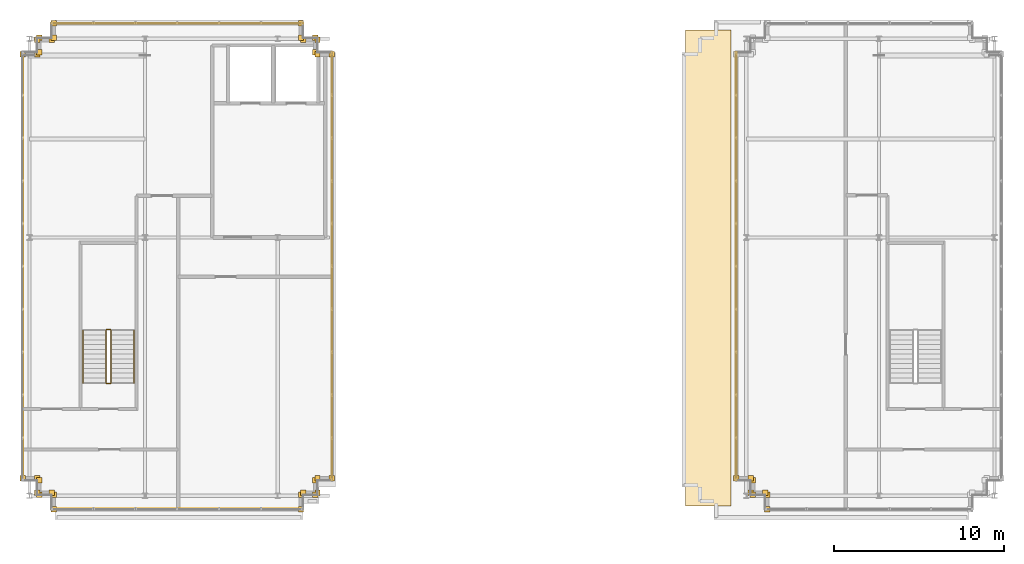
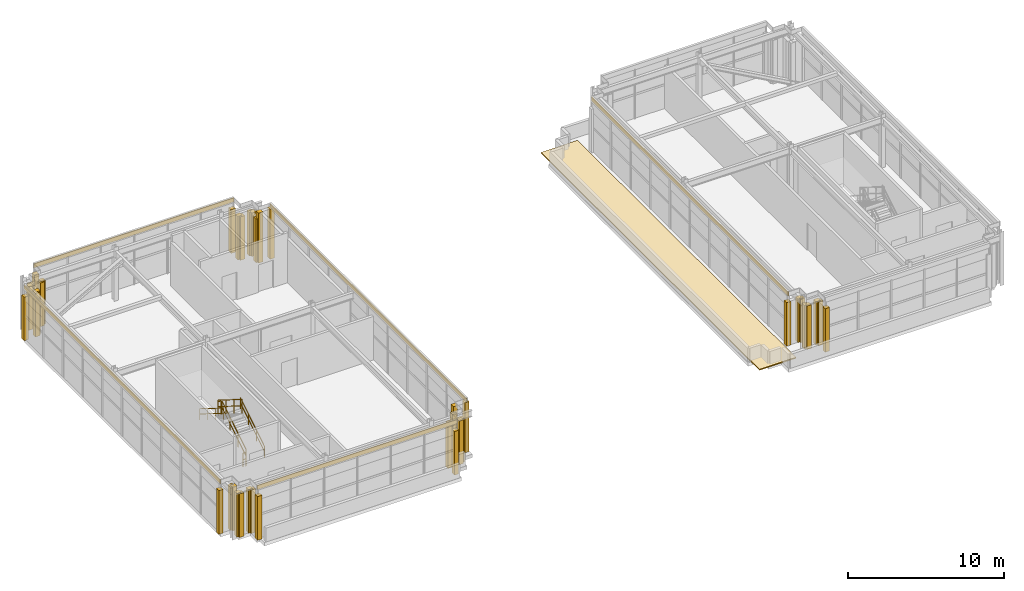
# One storey, part 23 of 25: 46 coverings, 6 railings.
"""IFC4 building model written with IfcOpenShell, lengths in metres."""

from ifc_helpers import new_model, si_unit, direction, frame, origin, origin_2d, place, context, subcontext, project, spatial, polyline, rectangle, outline, extrude, source, transform, mapped, material, layer, layer_set, type_object, element, save


model = new_model("IFC4")

# Units and contexts
model_context = context("Model", 3, precision=1e-05, world=origin(), true_north=direction((0.0, 1.0)))
body_context = subcontext(model_context, "Body", "Model", "MODEL_VIEW")
ifc_project = project(units=[si_unit("LENGTHUNIT", "METRE"), si_unit("AREAUNIT", "SQUARE_METRE"), si_unit("VOLUMEUNIT", "CUBIC_METRE"), si_unit("PLANEANGLEUNIT", "RADIAN"), si_unit("MASSUNIT", "GRAM", prefix="KILO")], contexts=[model_context])

# Site, building, storey
site_placement = place(None, origin())
site = spatial("IfcSite", under=ifc_project, at=site_placement, CompositionType="ELEMENT")
building_placement = place(site_placement, origin())
building = spatial("IfcBuilding", under=site, at=building_placement, Name="Trelvane Seafront Commons", CompositionType="ELEMENT")
storey_placement = place(building_placement, frame((0.0, 0.0, 316.699951171875)))
storey = spatial("IfcBuildingStorey", under=building, at=storey_placement, Name="L82", CompositionType="ELEMENT", Elevation=316.699951171875)

# Covering
ifc_material_1 = material(Name="Polymer-Modified Bitumen Membrane")
ifc_layer_1 = layer(ifc_material_1, 0.080078125, Name="ARCH-COV-ROOF80")
ifc_layer_set_1 = layer_set([ifc_layer_1], Name="Polymer-Modified Bitumen Membrane")
covering_type_1 = type_object("IfcCoveringType", Name="ARCH-COV-ROOF80", PredefinedType="ROOFING", material=ifc_layer_set_1)
covering_placement = place(storey_placement, origin())
element("IfcCovering", 1, at=covering_placement, inside=storey, type_object=covering_type_1, Name="COV-ROOF-L82-11", PredefinedType="ROOFING", context=body_context, shape_type="SweptSolid", body=[
    extrude(outline(polyline([(47.39990234375, 17.60009765625), (50.10009765625, 17.60009765625), (50.10009765625, 45.60009765625), (47.39990234375, 45.60009765625), (47.39990234375, 17.60009765625)])), origin(), (0.0, 0.0, 1.0), 0.080078125),
])

# Railings
ifc_material_2 = material(Name="Stainless steel balustrade", Category="steel")
railing_type_1 = type_object("IfcRailingType", Name="ARCH-SRL-GUARD", PredefinedType="GUARDRAIL", material=ifc_material_2)
railing_1_placement = place(storey_placement, frame((13.60009765625, 24.85009765625, 0.175048828125)))
element("IfcRailing", 2, at=railing_1_placement, inside=storey, type_object=railing_type_1, Name="L82 ST-5 stair guard 1", PredefinedType="GUARDRAIL", context=body_context, shape_type="SweptSolid", body=[
    extrude(rectangle(XDim=0.048095703125, YDim=0.048095703125, at=origin_2d()), frame((0.0, 0.0, 1.076171875), z_axis=(0.0, 0.847979421464, 0.530029150871), x_axis=(-1.0, 0.0, 0.0)), (0.0, 0.0, 1.0), 3.632080078125),
    extrude(rectangle(XDim=0.048095703125, YDim=0.048095703125, at=origin_2d()), frame((0.0, 0.0, 0.572021484375), z_axis=(0.0, 0.847979421464, 0.530029150871), x_axis=(-1.0, 0.0, 0.0)), (0.0, 0.0, 1.0), 3.632080078125),
    extrude(rectangle(XDim=0.0419921875, YDim=0.0419921875, at=origin_2d()), origin(), (0.0, 0.0, 1.0), 1.076171875),
    extrude(rectangle(XDim=0.0419921875, YDim=0.0419921875, at=origin_2d()), frame((0.0, 1.026611328125, 0.6416015625)), (0.0, 0.0, 1.0), 1.076171875),
    extrude(rectangle(XDim=0.0419921875, YDim=0.0419921875, at=origin_2d()), frame((0.0, 2.05322265625, 1.283447265625)), (0.0, 0.0, 1.0), 1.076171875),
    extrude(rectangle(XDim=0.0419921875, YDim=0.0419921875, at=origin_2d()), frame((0.0, 3.079833984375, 1.925048828125)), (0.0, 0.0, 1.0), 1.076171875),
])
railing_2_placement = place(storey_placement, frame((13.550048828125, 27.97998046875, 2.10009765625)))
element("IfcRailing", 3, at=railing_2_placement, inside=storey, type_object=railing_type_1, Name="L82 ST-5 stair guard 2", PredefinedType="GUARDRAIL", context=body_context, shape_type="SweptSolid", body=[
    extrude(rectangle(XDim=0.048095703125, YDim=0.048095703125, at=origin_2d()), frame((0.0, 0.0, 1.076171875), z_axis=(-1.0, 0.0, 0.0), x_axis=(0.0, -1.0, 0.0)), (0.0, 0.0, 1.0), 0.199951171875),
    extrude(rectangle(XDim=0.048095703125, YDim=0.048095703125, at=origin_2d()), frame((0.0, 0.0, 0.572021484375), z_axis=(-1.0, 0.0, 0.0), x_axis=(0.0, -1.0, 0.0)), (0.0, 0.0, 1.0), 0.199951171875),
    extrude(rectangle(XDim=0.0419921875, YDim=0.0419921875, at=origin_2d()), origin(), (0.0, 0.0, 1.0), 1.076171875),
    extrude(rectangle(XDim=0.0419921875, YDim=0.0419921875, at=origin_2d()), frame((-0.199951171875, 0.0, 0.0)), (0.0, 0.0, 1.0), 1.076171875),
])
railing_3_placement = place(storey_placement, frame((13.300048828125, 27.929931640625, 2.275146484375)))
element("IfcRailing", 4, at=railing_3_placement, inside=storey, type_object=railing_type_1, Name="L82 ST-5 stair guard 3", PredefinedType="GUARDRAIL", context=body_context, shape_type="SweptSolid", body=[
    extrude(rectangle(XDim=0.048095703125, YDim=0.048095703125, at=origin_2d()), frame((0.0, 0.0, 1.076171875), z_axis=(0.0, -0.848009633417, 0.529980812513), x_axis=(1.0, 0.0, 0.0)), (0.0, 0.0, 1.0), 3.6318359375),
    extrude(rectangle(XDim=0.048095703125, YDim=0.048095703125, at=origin_2d()), frame((0.0, 0.0, 0.572021484375), z_axis=(0.0, -0.848009633417, 0.529980812513), x_axis=(1.0, 0.0, 0.0)), (0.0, 0.0, 1.0), 3.6318359375),
    extrude(rectangle(XDim=0.0419921875, YDim=0.0419921875, at=origin_2d()), origin(), (0.0, 0.0, 1.0), 1.076171875),
    extrude(rectangle(XDim=0.0419921875, YDim=0.0419921875, at=origin_2d()), frame((0.0, -1.026611328125, 0.6416015625)), (0.0, 0.0, 1.0), 1.076171875),
    extrude(rectangle(XDim=0.0419921875, YDim=0.0419921875, at=origin_2d()), frame((0.0, -2.05322265625, 1.283203125)), (0.0, 0.0, 1.0), 1.076171875),
    extrude(rectangle(XDim=0.0419921875, YDim=0.0419921875, at=origin_2d()), frame((0.0, -3.079833984375, 1.9248046875)), (0.0, 0.0, 1.0), 1.076171875),
])
railing_4_placement = place(storey_placement, frame((13.550048828125, 24.800048828125, 0.0)))
element("IfcRailing", 5, at=railing_4_placement, inside=storey, type_object=railing_type_1, Name="L82 ST-5 stair guard 4", PredefinedType="GUARDRAIL", context=body_context, shape_type="SweptSolid", body=[
    extrude(rectangle(XDim=0.048095703125, YDim=0.048095703125, at=origin_2d()), frame((0.0, 0.0, 1.076171875), z_axis=(-1.0, 0.0, 0.0), x_axis=(0.0, -1.0, 0.0)), (0.0, 0.0, 1.0), 0.199951171875),
    extrude(rectangle(XDim=0.048095703125, YDim=0.048095703125, at=origin_2d()), frame((0.0, 0.0, 0.572021484375), z_axis=(-1.0, 0.0, 0.0), x_axis=(0.0, -1.0, 0.0)), (0.0, 0.0, 1.0), 0.199951171875),
    extrude(rectangle(XDim=0.0419921875, YDim=0.0419921875, at=origin_2d()), origin(), (0.0, 0.0, 1.0), 1.076171875),
    extrude(rectangle(XDim=0.0419921875, YDim=0.0419921875, at=origin_2d()), frame((-0.199951171875, 0.0, 0.0)), (0.0, 0.0, 1.0), 1.076171875),
])
railing_type_2 = type_object("IfcRailingType", Name="ARCH-SRL-HAND", PredefinedType="HANDRAIL", material=ifc_material_2)
railing_5_placement = place(storey_placement, frame((14.949951171875, 24.85009765625, 0.175048828125)))
element("IfcRailing", 6, at=railing_5_placement, inside=storey, type_object=railing_type_2, Name="L82 ST-5 stair handrail 1", PredefinedType="HANDRAIL", context=body_context, shape_type="SweptSolid", body=[
    extrude(rectangle(XDim=0.048095703125, YDim=0.048095703125, at=origin_2d()), frame((0.0, 0.0, 0.8759765625), z_axis=(0.0, 0.847979421464, 0.530029150871), x_axis=(-1.0, 0.0, 0.0)), (0.0, 0.0, 1.0), 3.632080078125),
    extrude(rectangle(XDim=0.048095703125, YDim=0.048095703125, at=origin_2d()), frame((0.0, 0.0, 0.468017578125), z_axis=(0.0, 0.847979421464, 0.530029150871), x_axis=(-1.0, 0.0, 0.0)), (0.0, 0.0, 1.0), 3.632080078125),
    extrude(rectangle(XDim=0.0419921875, YDim=0.0419921875, at=origin_2d()), origin(), (0.0, 0.0, 1.0), 0.8759765625),
    extrude(rectangle(XDim=0.0419921875, YDim=0.0419921875, at=origin_2d()), frame((0.0, 1.026611328125, 0.6416015625)), (0.0, 0.0, 1.0), 0.8759765625),
    extrude(rectangle(XDim=0.0419921875, YDim=0.0419921875, at=origin_2d()), frame((0.0, 2.05322265625, 1.283447265625)), (0.0, 0.0, 1.0), 0.8759765625),
    extrude(rectangle(XDim=0.0419921875, YDim=0.0419921875, at=origin_2d()), frame((0.0, 3.079833984375, 1.925048828125)), (0.0, 0.0, 1.0), 0.8759765625),
])
railing_6_placement = place(storey_placement, frame((11.949951171875, 27.929931640625, 2.275146484375)))
element("IfcRailing", 7, at=railing_6_placement, inside=storey, type_object=railing_type_2, Name="L82 ST-5 stair handrail 2", PredefinedType="HANDRAIL", context=body_context, shape_type="SweptSolid", body=[
    extrude(rectangle(XDim=0.048095703125, YDim=0.048095703125, at=origin_2d()), frame((0.0, 0.0, 0.8759765625), z_axis=(0.0, -0.848009633417, 0.529980812513), x_axis=(1.0, 0.0, 0.0)), (0.0, 0.0, 1.0), 3.6318359375),
    extrude(rectangle(XDim=0.048095703125, YDim=0.048095703125, at=origin_2d()), frame((0.0, 0.0, 0.468017578125), z_axis=(0.0, -0.848009633417, 0.529980812513), x_axis=(1.0, 0.0, 0.0)), (0.0, 0.0, 1.0), 3.6318359375),
    extrude(rectangle(XDim=0.0419921875, YDim=0.0419921875, at=origin_2d()), origin(), (0.0, 0.0, 1.0), 0.8759765625),
    extrude(rectangle(XDim=0.0419921875, YDim=0.0419921875, at=origin_2d()), frame((0.0, -1.026611328125, 0.6416015625)), (0.0, 0.0, 1.0), 0.8759765625),
    extrude(rectangle(XDim=0.0419921875, YDim=0.0419921875, at=origin_2d()), frame((0.0, -2.05322265625, 1.283203125)), (0.0, 0.0, 1.0), 0.8759765625),
    extrude(rectangle(XDim=0.0419921875, YDim=0.0419921875, at=origin_2d()), frame((0.0, -3.079833984375, 1.9248046875)), (0.0, 0.0, 1.0), 0.8759765625),
])

# Coverings
ifc_material_3 = material(Name="Anodised pale-silver aluminium", Category="aluminium")
ifc_layer_2 = layer(ifc_material_3, 0.034912109375, Name="ARCH-COV-CLAD35")
ifc_layer_set_2 = layer_set([ifc_layer_2], Name="Anodised pale-silver aluminium")
covering_type_2 = type_object("IfcCoveringType", Name="ARCH-COV-CLAD35", PredefinedType="CLADDING", material=ifc_layer_set_2)
shared_shape_1 = source(origin(), body_context, "Body", "SweptSolid", [
    extrude(rectangle(XDim=0.320068359375, YDim=0.320068359375, at=origin_2d()), origin(), (0.0, 0.0, 1.0), 3.409912109375),
])
for number, where, z_axis, x_axis, name in (
    (8, (10.10009765625, 18.3701171875, 0.0), (0.0, 0.0, 1.0), (1.0, 0.0, 0.0), "CLD-CP-L82-00631"),
    (9, (9.25, 18.3701171875, 0.0), (0.0, 0.0, 1.0), (1.0, 0.0, 0.0), "CLD-CP-L82-00632"),
    (10, (9.3701171875, 18.25, 0.0), (0.0, 0.0, 1.0), (1.0, 0.0, 0.0), "CLD-CP-L82-00634"),
    (11, (9.3701171875, 19.10009765625, 0.0), (0.0, 0.0, 1.0), (1.0, 0.0, 0.0), "CLD-CP-L82-00635"),
    (12, (9.25, 19.219970703125, 0.0), (0.0, 0.0, 1.0), (1.0, 0.0, 0.0), "CLD-CP-L82-00637"),
    (13, (8.39990234375, 19.219970703125, 0.0), (0.0, 0.0, 1.0), (1.0, 0.0, 0.0), "CLD-CP-L82-00638"),
    (14, (8.39990234375, 44.179931640625, 0.0), (0.0, 0.0, 1.0), (1.0, 0.0, 0.0), "CLD-CP-L82-00641"),
    (15, (9.25, 44.179931640625, 0.0), (0.0, 0.0, 1.0), (1.0, 0.0, 0.0), "CLD-CP-L82-00642"),
    (16, (9.3701171875, 44.300048828125, 0.0), (0.0, 0.0, 1.0), (1.0, 0.0, 0.0), "CLD-CP-L82-00644"),
    (17, (9.3701171875, 45.14990234375, 0.0), (0.0, 0.0, 1.0), (1.0, 0.0, 0.0), "CLD-CP-L82-00645"),
    (18, (9.25, 45.030029296875, 0.0), (0.0, 0.0, 1.0), (1.0, 0.0, 0.0), "CLD-CP-L82-00647"),
    (19, (10.10009765625, 45.030029296875, 0.0), (0.0, 0.0, 1.0), (1.0, 0.0, 0.0), "CLD-CP-L82-00648"),
    (20, (10.219970703125, 45.14990234375, 0.0), (0.0, 0.0, 1.0), (1.0, 0.0, 0.0), "CLD-CP-L82-00650"),
    (21, (10.219970703125, 46.0, 0.0), (0.0, 0.0, 1.0), (1.0, 0.0, 0.0), "CLD-CP-L82-00651"),
    (22, (24.780029296875, 46.0, 0.0), (0.0, 0.0, 1.0), (1.0, 0.0, 0.0), "CLD-CP-L82-00654"),
    (23, (24.780029296875, 45.14990234375, 0.0), (0.0, 0.0, 1.0), (1.0, 0.0, 0.0), "CLD-CP-L82-00655"),
    (24, (24.89990234375, 45.030029296875, 0.0), (0.0, 0.0, 1.0), (1.0, 0.0, 0.0), "CLD-CP-L82-00657"),
    (25, (25.75, 45.030029296875, 0.0), (0.0, 0.0, 1.0), (1.0, 0.0, 0.0), "CLD-CP-L82-00658"),
    (26, (25.6298828125, 45.14990234375, 0.0), (0.0, 0.0, 1.0), (1.0, 0.0, 0.0), "CLD-CP-L82-00660"),
    (27, (25.6298828125, 44.300048828125, 0.0), (0.0, 0.0, 1.0), (1.0, 0.0, 0.0), "CLD-CP-L82-00661"),
    (28, (25.6298828125, 19.10009765625, 0.0), (0.0, 0.0, 1.0), (1.0, 0.0, 0.0), "CLD-CP-L82-00670"),
    (29, (25.6298828125, 18.25, 0.0), (0.0, 0.0, 1.0), (1.0, 0.0, 0.0), "CLD-CP-L82-00671"),
    (30, (25.75, 18.3701171875, 0.0), (0.0, 0.0, 1.0), (1.0, 0.0, 0.0), "CLD-CP-L82-00673"),
    (31, (24.89990234375, 18.3701171875, 0.0), (0.0, 0.0, 1.0), (1.0, 0.0, 0.0), "CLD-CP-L82-00674"),
    (32, (24.780029296875, 18.25, 0.0), (0.0, 0.0, 1.0), (1.0, 0.0, 0.0), "CLD-CP-L82-00676"),
    (33, (24.780029296875, 17.39990234375, 0.0), (0.0, 0.0, 1.0), (1.0, 0.0, 0.0), "CLD-CP-L82-00677"),
    (34, (10.219970703125, 17.39990234375, 0.0), (0.0, 0.0, 1.0), (1.0, 0.0, 0.0), "CLD-CP-L82-00680"),
    (35, (10.219970703125, 18.25, 0.0), (0.0, 0.0, 1.0), (1.0, 0.0, 0.0), "CLD-CP-L82-00681"),
    (36, (52.10009765625, 18.3701171875, 0.0), (0.0, 0.0, 1.0), (1.0, 0.0, 0.0), "CLD-CP-L82-00683"),
    (37, (51.25, 18.3701171875, 0.0), (0.0, 0.0, 1.0), (1.0, 0.0, 0.0), "CLD-CP-L82-00684"),
    (38, (51.3701171875, 18.25, 0.0), (0.0, 0.0, 1.0), (1.0, 0.0, 0.0), "CLD-CP-L82-00686"),
    (39, (51.3701171875, 19.10009765625, 0.0), (0.0, 0.0, 1.0), (1.0, 0.0, 0.0), "CLD-CP-L82-00687"),
    (40, (51.25, 19.219970703125, 0.0), (0.0, 0.0, 1.0), (1.0, 0.0, 0.0), "CLD-CP-L82-00689"),
    (41, (50.39990234375, 19.219970703125, 0.0), (0.0, 0.0, 1.0), (1.0, 0.0, 0.0), "CLD-CP-L82-00690"),
    (42, (52.219970703125, 17.39990234375, 0.0), (0.0, 0.0, 1.0), (1.0, 0.0, 0.0), "CLD-CP-L82-00732"),
    (43, (52.219970703125, 18.25, 0.0), (0.0, 0.0, 1.0), (1.0, 0.0, 0.0), "CLD-CP-L82-00733"),
):
    element("IfcCovering", number, at=place(storey_placement, frame(where, z_axis=z_axis, x_axis=x_axis)), inside=storey, type_object=covering_type_2, Name=name, PredefinedType="CLADDING", context=body_context, shape_type="MappedRepresentation", body=[
        mapped(shared_shape_1, transform((0.0, 0.0, 0.0), x_axis=(1.0, 0.0, 0.0), y_axis=(0.0, 1.0, 0.0), z_axis=(0.0, 0.0, 1.0), scale=1.0)),
    ])
shared_shape_2 = source(origin(), body_context, "Body", "SweptSolid", [
    extrude(rectangle(XDim=25.199951171875, YDim=0.034912109375, at=origin_2d()), origin(), (0.0, 0.0, 1.0), 0.340087890625),
])
for number, where, z_axis, x_axis, name in (
    (44, (8.39990234375, 31.699951171875, 3.85986328125), (0.0, 0.0, 1.0), (0.0, 1.0, 0.0), "CLD-L82-0640"),
    (45, (26.60009765625, 31.699951171875, 3.85986328125), (0.0, 0.0, 1.0), (0.0, -1.0, 0.0), "CLD-L82-0666"),
    (46, (50.39990234375, 31.699951171875, 3.85986328125), (0.0, 0.0, 1.0), (0.0, 1.0, 0.0), "CLD-L82-0692"),
):
    element("IfcCovering", number, at=place(storey_placement, frame(where, z_axis=z_axis, x_axis=x_axis)), inside=storey, type_object=covering_type_2, Name=name, PredefinedType="CLADDING", context=body_context, shape_type="MappedRepresentation", body=[
        mapped(shared_shape_2, transform((0.0, 0.0, 0.0), x_axis=(1.0, 0.0, 0.0), y_axis=(0.0, 1.0, 0.0), z_axis=(0.0, 0.0, 1.0), scale=1.0)),
    ])
shared_shape_3 = source(origin(), body_context, "Body", "SweptSolid", [
    extrude(rectangle(XDim=14.800048828125, YDim=0.034912109375, at=origin_2d()), origin(), (0.0, 0.0, 1.0), 0.340087890625),
])
for number, where, z_axis, x_axis, name in (
    (47, (17.5, 46.0, 3.85986328125), (0.0, 0.0, 1.0), (1.0, 0.0, 0.0), "CLD-L82-0653"),
    (48, (17.5, 17.39990234375, 3.85986328125), (0.0, 0.0, 1.0), (-1.0, 0.0, 0.0), "CLD-L82-0679"),
):
    element("IfcCovering", number, at=place(storey_placement, frame(where, z_axis=z_axis, x_axis=x_axis)), inside=storey, type_object=covering_type_2, Name=name, PredefinedType="CLADDING", context=body_context, shape_type="MappedRepresentation", body=[
        mapped(shared_shape_3, transform((0.0, 0.0, 0.0), x_axis=(1.0, 0.0, 0.0), y_axis=(0.0, 1.0, 0.0), z_axis=(0.0, 0.0, 1.0), scale=1.0)),
    ])
shared_shape_4 = source(origin(), body_context, "Body", "SweptSolid", [
    extrude(rectangle(XDim=0.320068359375, YDim=0.320068359375, at=origin_2d()), origin(), (0.0, 0.0, 1.0), 3.909912109375),
])
for number, where, z_axis, x_axis, name in (
    (49, (25.75, 44.179931640625, 0.0), (0.0, 0.0, 1.0), (1.0, 0.0, 0.0), "CLD-CP-L82-00663"),
    (50, (26.60009765625, 44.179931640625, 0.0), (0.0, 0.0, 1.0), (1.0, 0.0, 0.0), "CLD-CP-L82-00664"),
    (51, (26.60009765625, 19.219970703125, 0.0), (0.0, 0.0, 1.0), (1.0, 0.0, 0.0), "CLD-CP-L82-00667"),
    (52, (25.75, 19.219970703125, 0.0), (0.0, 0.0, 1.0), (1.0, 0.0, 0.0), "CLD-CP-L82-00668"),
):
    element("IfcCovering", number, at=place(storey_placement, frame(where, z_axis=z_axis, x_axis=x_axis)), inside=storey, type_object=covering_type_2, Name=name, PredefinedType="CLADDING", context=body_context, shape_type="MappedRepresentation", body=[
        mapped(shared_shape_4, transform((0.0, 0.0, 0.0), x_axis=(1.0, 0.0, 0.0), y_axis=(0.0, 1.0, 0.0), z_axis=(0.0, 0.0, 1.0), scale=1.0)),
    ])

save(model, "model.ifc")
